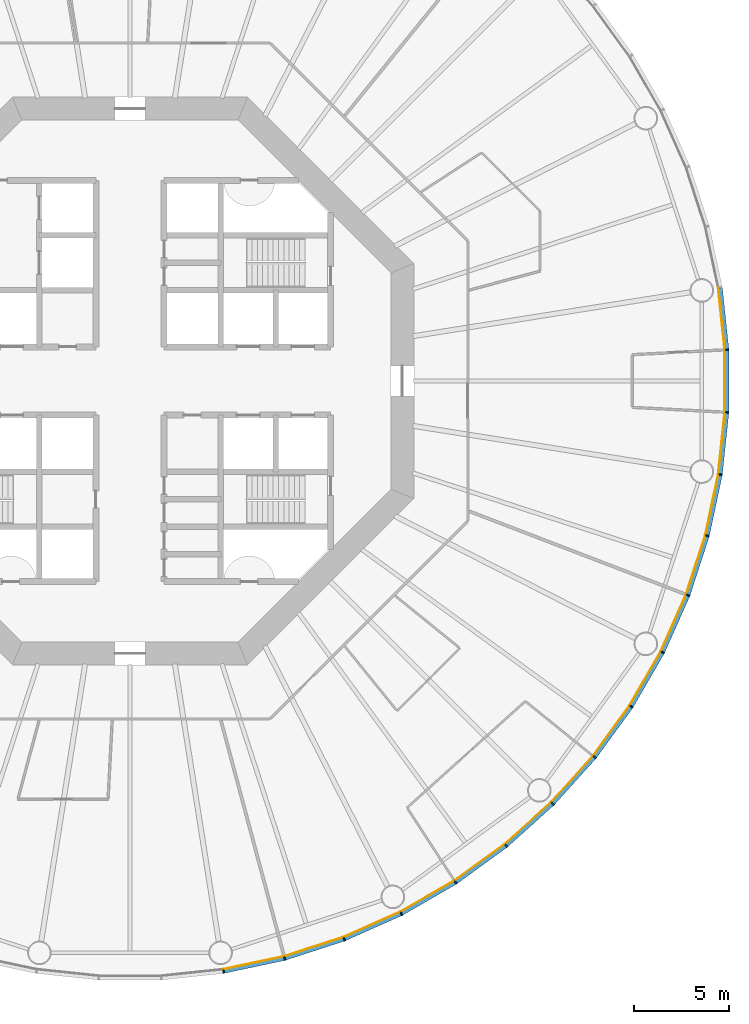
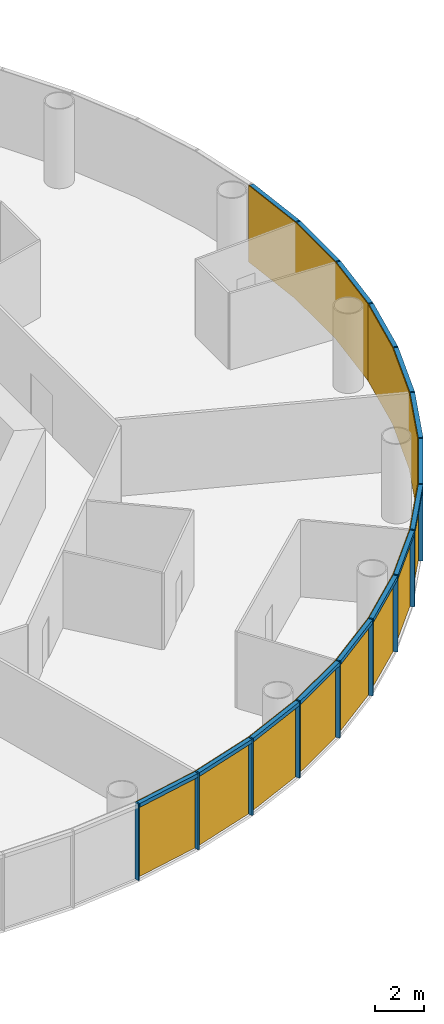
# One storey, part 9 of 13: 30 members, 5 curtain walls.
"""IFC4 building model written with IfcOpenShell, lengths in metres."""

from ifc_helpers import new_model, si_unit, direction, frame, origin, origin_2d, place, context, subcontext, project, spatial, polyline, rectangle, outline, extrude, material, layer, layer_set, material_profile, profile_set, type_object, element, aggregate, save


model = new_model("IFC4")

# Units and contexts
model_context = context("Model", 3, precision=1e-05, world=origin(), true_north=direction((0.0, 1.0)))
body_context = subcontext(model_context, "Body", "Model", "MODEL_VIEW")
ifc_project = project(units=[si_unit("LENGTHUNIT", "METRE"), si_unit("AREAUNIT", "SQUARE_METRE"), si_unit("VOLUMEUNIT", "CUBIC_METRE"), si_unit("PLANEANGLEUNIT", "RADIAN"), si_unit("MASSUNIT", "GRAM", prefix="KILO")], contexts=[model_context])

# Member
ifc_material_1 = material(Name="Anodised aluminium", Category="aluminium")
ifc_material_profile_1 = material_profile(ifc_material_1, rectangle(XDim=0.070068359375, YDim=0.199951171875, at=origin_2d()), Name="Mullion 70 x 200 mm anodised aluminium")
ifc_profile_set_1 = profile_set([ifc_material_profile_1], Name="Anodised aluminium")
member_type_1 = type_object("IfcMemberType", Name="Mullion 70 x 200 mm anodised aluminium", PredefinedType="MULLION", material=ifc_profile_set_1)
site_placement = place(None, origin())
building_placement = place(site_placement, origin())
storey_placement = place(building_placement, frame((0.0, 0.0, 120.0)))
member_1_placement = place(storey_placement, frame((94.943359375, 48.7890625, 0.0), z_axis=(0.0, 0.0, 1.0), x_axis=(0.987688340595, 0.15643446504, 0.0)))
member_1 = element("IfcMember", 1, at=member_1_placement, type_object=member_type_1, Name="MULLION L27-45", PredefinedType="MULLION", context=body_context, shape_type="SweptSolid", body=[
    extrude(rectangle(XDim=0.070068359375, YDim=0.199951171875, at=origin_2d()), origin(), (0.0, 0.0, 1.0), 3.85009765625),
])

member_2_placement = place(storey_placement, frame((98.1787109375, 49.476806640625, 0.0), z_axis=(0.0, 0.0, 1.0), x_axis=(0.965925826289, 0.258819045103, 0.0)))
member_2 = element("IfcMember", 2, at=member_2_placement, type_object=member_type_1, Name="MULLION L27-46", PredefinedType="MULLION", context=body_context, shape_type="SweptSolid", body=[
    extrude(rectangle(XDim=0.070068359375, YDim=0.199951171875, at=origin_2d()), origin(), (0.0, 0.0, 1.0), 3.85009765625),
])

member_3_placement = place(storey_placement, frame((101.324462890625, 50.498779296875, 0.0), z_axis=(0.0, 0.0, 1.0), x_axis=(0.933580426497, 0.358367949545, 0.0)))
member_3 = element("IfcMember", 3, at=member_3_placement, type_object=member_type_1, Name="MULLION L27-47", PredefinedType="MULLION", context=body_context, shape_type="SweptSolid", body=[
    extrude(rectangle(XDim=0.070068359375, YDim=0.199951171875, at=origin_2d()), origin(), (0.0, 0.0, 1.0), 3.85009765625),
])

member_4_placement = place(storey_placement, frame((104.34619140625, 51.84423828125, 0.0), z_axis=(0.0, 0.0, 1.0), x_axis=(0.891006524188, 0.45399049974, 0.0)))
member_4 = element("IfcMember", 4, at=member_4_placement, type_object=member_type_1, Name="MULLION L27-48", PredefinedType="MULLION", context=body_context, shape_type="SweptSolid", body=[
    extrude(rectangle(XDim=0.070068359375, YDim=0.199951171875, at=origin_2d()), origin(), (0.0, 0.0, 1.0), 3.85009765625),
])

member_5_placement = place(storey_placement, frame((107.210693359375, 53.498046875, 0.0), z_axis=(0.0, 0.0, 1.0), x_axis=(0.838670567945, 0.544639035015, 0.0)))
member_5 = element("IfcMember", 5, at=member_5_placement, type_object=member_type_1, Name="MULLION L27-49", PredefinedType="MULLION", context=body_context, shape_type="SweptSolid", body=[
    extrude(rectangle(XDim=0.070068359375, YDim=0.199951171875, at=origin_2d()), origin(), (0.0, 0.0, 1.0), 3.85009765625),
])

member_6_placement = place(storey_placement, frame((109.886474609375, 55.442138671875, 0.0), z_axis=(0.0, 0.0, 1.0), x_axis=(0.777145961457, 0.62932039105, 0.0)))
member_6 = element("IfcMember", 6, at=member_6_placement, type_object=member_type_1, Name="MULLION L27-50", PredefinedType="MULLION", context=body_context, shape_type="SweptSolid", body=[
    extrude(rectangle(XDim=0.070068359375, YDim=0.199951171875, at=origin_2d()), origin(), (0.0, 0.0, 1.0), 3.85009765625),
])

member_7_placement = place(storey_placement, frame((112.344482421875, 57.655517578125, 0.0), z_axis=(0.0, 0.0, 1.0), x_axis=(0.707106781187, 0.707106781187, 0.0)))
member_7 = element("IfcMember", 7, at=member_7_placement, type_object=member_type_1, Name="MULLION L27-51", PredefinedType="MULLION", context=body_context, shape_type="SweptSolid", body=[
    extrude(rectangle(XDim=0.070068359375, YDim=0.199951171875, at=origin_2d()), origin(), (0.0, 0.0, 1.0), 3.85009765625),
])

member_8_placement = place(storey_placement, frame((114.557861328125, 60.113525390625, 0.0), z_axis=(0.0, 0.0, 1.0), x_axis=(0.62932039105, 0.777145961457, 0.0)))
member_8 = element("IfcMember", 8, at=member_8_placement, type_object=member_type_1, Name="MULLION L27-52", PredefinedType="MULLION", context=body_context, shape_type="SweptSolid", body=[
    extrude(rectangle(XDim=0.070068359375, YDim=0.199951171875, at=origin_2d()), origin(), (0.0, 0.0, 1.0), 3.85009765625),
])

member_9_placement = place(storey_placement, frame((116.501953125, 62.789306640625, 0.0), z_axis=(0.0, 0.0, 1.0), x_axis=(0.544639035015, 0.838670567945, 0.0)))
member_9 = element("IfcMember", 9, at=member_9_placement, type_object=member_type_1, Name="MULLION L27-53", PredefinedType="MULLION", context=body_context, shape_type="SweptSolid", body=[
    extrude(rectangle(XDim=0.070068359375, YDim=0.199951171875, at=origin_2d()), origin(), (0.0, 0.0, 1.0), 3.85009765625),
])

member_10_placement = place(storey_placement, frame((118.15576171875, 65.65380859375, 0.0), z_axis=(0.0, 0.0, 1.0), x_axis=(0.45399049974, 0.891006524188, 0.0)))
member_10 = element("IfcMember", 10, at=member_10_placement, type_object=member_type_1, Name="MULLION L27-54", PredefinedType="MULLION", context=body_context, shape_type="SweptSolid", body=[
    extrude(rectangle(XDim=0.070068359375, YDim=0.199951171875, at=origin_2d()), origin(), (0.0, 0.0, 1.0), 3.85009765625),
])

member_11_placement = place(storey_placement, frame((119.501220703125, 68.675537109375, 0.0), z_axis=(0.0, 0.0, 1.0), x_axis=(0.358367949545, 0.933580426497, 0.0)))
member_11 = element("IfcMember", 11, at=member_11_placement, type_object=member_type_1, Name="MULLION L27-55", PredefinedType="MULLION", context=body_context, shape_type="SweptSolid", body=[
    extrude(rectangle(XDim=0.070068359375, YDim=0.199951171875, at=origin_2d()), origin(), (0.0, 0.0, 1.0), 3.85009765625),
])

member_12_placement = place(storey_placement, frame((120.523193359375, 71.8212890625, 0.0), z_axis=(0.0, 0.0, 1.0), x_axis=(0.258819045103, 0.965925826289, 0.0)))
member_12 = element("IfcMember", 12, at=member_12_placement, type_object=member_type_1, Name="MULLION L27-56", PredefinedType="MULLION", context=body_context, shape_type="SweptSolid", body=[
    extrude(rectangle(XDim=0.070068359375, YDim=0.199951171875, at=origin_2d()), origin(), (0.0, 0.0, 1.0), 3.85009765625),
])

member_13_placement = place(storey_placement, frame((121.2109375, 75.056640625, 0.0), z_axis=(0.0, 0.0, 1.0), x_axis=(0.15643446504, 0.987688340595, 0.0)))
member_13 = element("IfcMember", 13, at=member_13_placement, type_object=member_type_1, Name="MULLION L27-57", PredefinedType="MULLION", context=body_context, shape_type="SweptSolid", body=[
    extrude(rectangle(XDim=0.070068359375, YDim=0.199951171875, at=origin_2d()), origin(), (0.0, 0.0, 1.0), 3.85009765625),
])

member_14_placement = place(storey_placement, frame((121.556640625, 78.34619140625, 0.0), z_axis=(0.0, 0.0, 1.0), x_axis=(0.052335956243, 0.998629534755, 0.0)))
member_14 = element("IfcMember", 14, at=member_14_placement, type_object=member_type_1, Name="MULLION L27-58", PredefinedType="MULLION", context=body_context, shape_type="SweptSolid", body=[
    extrude(rectangle(XDim=0.070068359375, YDim=0.199951171875, at=origin_2d()), origin(), (0.0, 0.0, 1.0), 3.85009765625),
])

member_15_placement = place(storey_placement, frame((121.556640625, 81.65380859375, 0.0), z_axis=(0.0, 0.0, 1.0), x_axis=(-0.052335956243, 0.998629534755, 0.0)))
member_15 = element("IfcMember", 15, at=member_15_placement, type_object=member_type_1, Name="MULLION L27-59", PredefinedType="MULLION", context=body_context, shape_type="SweptSolid", body=[
    extrude(rectangle(XDim=0.070068359375, YDim=0.199951171875, at=origin_2d()), origin(), (0.0, 0.0, 1.0), 3.85009765625),
])

ifc_material_2 = material(Name="Anodised aluminium", Category="aluminium")
ifc_material_profile_2 = material_profile(ifc_material_2, rectangle(XDim=0.199951171875, YDim=0.18994140625, at=origin_2d()), Name="Transom 190 x 200 mm anodised aluminium")
ifc_profile_set_2 = profile_set([ifc_material_profile_2], Name="Anodised aluminium")
member_type_2 = type_object("IfcMemberType", Name="Transom 190 x 200 mm anodised aluminium", PredefinedType="USERDEFINED", material=ifc_profile_set_2)
member_16_placement = place(storey_placement, frame((94.982666015625, 48.79736328125, 3.7548828125), z_axis=(0.978153082647, 0.207885898771, 0.0), x_axis=(-0.207885898771, 0.978153082647, 0.0)))
member_16 = element("IfcMember", 16, at=member_16_placement, type_object=member_type_2, Name="TRANSOM L27-45", ObjectType="TRANSOM", PredefinedType="USERDEFINED", context=body_context, shape_type="SweptSolid", body=[
    extrude(rectangle(XDim=0.199951171875, YDim=0.18994140625, at=origin_2d()), origin(), (0.0, 0.0, 1.0), 3.227294921875),
])

member_17_placement = place(storey_placement, frame((98.217041015625, 49.489013671875, 3.7548828125), z_axis=(0.951046855117, 0.309046726844, 0.0), x_axis=(-0.309046726844, 0.951046855117, 0.0)))
member_17 = element("IfcMember", 17, at=member_17_placement, type_object=member_type_2, Name="TRANSOM L27-46", ObjectType="TRANSOM", PredefinedType="USERDEFINED", context=body_context, shape_type="SweptSolid", body=[
    extrude(rectangle(XDim=0.199951171875, YDim=0.18994140625, at=origin_2d()), origin(), (0.0, 0.0, 1.0), 3.22705078125),
])

member_18_placement = place(storey_placement, frame((101.361328125, 50.51513671875, 3.7548828125), z_axis=(0.913549291349, 0.406728032322, 0.0), x_axis=(-0.406728032322, 0.913549291349, 0.0)))
member_18 = element("IfcMember", 18, at=member_18_placement, type_object=member_type_2, Name="TRANSOM L27-47", ObjectType="TRANSOM", PredefinedType="USERDEFINED", context=body_context, shape_type="SweptSolid", body=[
    extrude(rectangle(XDim=0.199951171875, YDim=0.18994140625, at=origin_2d()), origin(), (0.0, 0.0, 1.0), 3.22705078125),
])

member_19_placement = place(storey_placement, frame((104.381103515625, 51.8642578125, 3.7548828125), z_axis=(0.866023062494, 0.500004055213, 0.0), x_axis=(-0.500004055213, 0.866023062494, 0.0)))
member_19 = element("IfcMember", 19, at=member_19_placement, type_object=member_type_2, Name="TRANSOM L27-48", ObjectType="TRANSOM", PredefinedType="USERDEFINED", context=body_context, shape_type="SweptSolid", body=[
    extrude(rectangle(XDim=0.199951171875, YDim=0.18994140625, at=origin_2d()), origin(), (0.0, 0.0, 1.0), 3.22705078125),
])

member_20_placement = place(storey_placement, frame((107.2431640625, 53.521484375, 3.7548828125), z_axis=(0.809004252048, 0.587802790201, 0.0), x_axis=(-0.587802790201, 0.809004252048, 0.0)))
member_20 = element("IfcMember", 20, at=member_20_placement, type_object=member_type_2, Name="TRANSOM L27-49", ObjectType="TRANSOM", PredefinedType="USERDEFINED", context=body_context, shape_type="SweptSolid", body=[
    extrude(rectangle(XDim=0.199951171875, YDim=0.18994140625, at=origin_2d()), origin(), (0.0, 0.0, 1.0), 3.227294921875),
])

member_21_placement = place(storey_placement, frame((109.91650390625, 55.468994140625, 3.7548828125), z_axis=(0.743132370743, 0.669144438484, 0.0), x_axis=(-0.669144438484, 0.743132370743, 0.0)))
member_21 = element("IfcMember", 21, at=member_21_placement, type_object=member_type_2, Name="TRANSOM L27-50", ObjectType="TRANSOM", PredefinedType="USERDEFINED", context=body_context, shape_type="SweptSolid", body=[
    extrude(rectangle(XDim=0.199951171875, YDim=0.18994140625, at=origin_2d()), origin(), (0.0, 0.0, 1.0), 3.22705078125),
])

member_22_placement = place(storey_placement, frame((112.37158203125, 57.685302734375, 3.7548828125), z_axis=(0.669144438484, 0.743132370743, 0.0), x_axis=(-0.743132370743, 0.669144438484, 0.0)))
member_22 = element("IfcMember", 22, at=member_22_placement, type_object=member_type_2, Name="TRANSOM L27-51", ObjectType="TRANSOM", PredefinedType="USERDEFINED", context=body_context, shape_type="SweptSolid", body=[
    extrude(rectangle(XDim=0.199951171875, YDim=0.18994140625, at=origin_2d()), origin(), (0.0, 0.0, 1.0), 3.22705078125),
])

member_23_placement = place(storey_placement, frame((114.58154296875, 60.14599609375, 3.7548828125), z_axis=(0.587802790201, 0.809004252048, 0.0), x_axis=(-0.809004252048, 0.587802790201, 0.0)))
member_23 = element("IfcMember", 23, at=member_23_placement, type_object=member_type_2, Name="TRANSOM L27-52", ObjectType="TRANSOM", PredefinedType="USERDEFINED", context=body_context, shape_type="SweptSolid", body=[
    extrude(rectangle(XDim=0.199951171875, YDim=0.18994140625, at=origin_2d()), origin(), (0.0, 0.0, 1.0), 3.227294921875),
])

member_24_placement = place(storey_placement, frame((116.522216796875, 62.82421875, 3.7548828125), z_axis=(0.500004055213, 0.866023062494, 0.0), x_axis=(-0.866023062494, 0.500004055213, 0.0)))
member_24 = element("IfcMember", 24, at=member_24_placement, type_object=member_type_2, Name="TRANSOM L27-53", ObjectType="TRANSOM", PredefinedType="USERDEFINED", context=body_context, shape_type="SweptSolid", body=[
    extrude(rectangle(XDim=0.199951171875, YDim=0.18994140625, at=origin_2d()), origin(), (0.0, 0.0, 1.0), 3.22705078125),
])

member_25_placement = place(storey_placement, frame((118.17236328125, 65.690673828125, 3.7548828125), z_axis=(0.406728032322, 0.913549291349, 0.0), x_axis=(-0.913549291349, 0.406728032322, 0.0)))
member_25 = element("IfcMember", 25, at=member_25_placement, type_object=member_type_2, Name="TRANSOM L27-54", ObjectType="TRANSOM", PredefinedType="USERDEFINED", context=body_context, shape_type="SweptSolid", body=[
    extrude(rectangle(XDim=0.199951171875, YDim=0.18994140625, at=origin_2d()), origin(), (0.0, 0.0, 1.0), 3.22705078125),
])

member_26_placement = place(storey_placement, frame((119.513671875, 68.7138671875, 3.7548828125), z_axis=(0.309046726844, 0.951046855117, 0.0), x_axis=(-0.951046855117, 0.309046726844, 0.0)))
member_26 = element("IfcMember", 26, at=member_26_placement, type_object=member_type_2, Name="TRANSOM L27-55", ObjectType="TRANSOM", PredefinedType="USERDEFINED", context=body_context, shape_type="SweptSolid", body=[
    extrude(rectangle(XDim=0.199951171875, YDim=0.18994140625, at=origin_2d()), origin(), (0.0, 0.0, 1.0), 3.22705078125),
])

member_27_placement = place(storey_placement, frame((120.53173828125, 71.860595703125, 3.7548828125), z_axis=(0.207885898771, 0.978153082647, 0.0), x_axis=(-0.978153082647, 0.207885898771, 0.0)))
member_27 = element("IfcMember", 27, at=member_27_placement, type_object=member_type_2, Name="TRANSOM L27-56", ObjectType="TRANSOM", PredefinedType="USERDEFINED", context=body_context, shape_type="SweptSolid", body=[
    extrude(rectangle(XDim=0.199951171875, YDim=0.18994140625, at=origin_2d()), origin(), (0.0, 0.0, 1.0), 3.227294921875),
])

member_28_placement = place(storey_placement, frame((121.21533203125, 75.0966796875, 3.7548828125), z_axis=(0.104550890115, 0.994519537956, 0.0), x_axis=(-0.994519537956, 0.104550890115, 0.0)))
member_28 = element("IfcMember", 28, at=member_28_placement, type_object=member_type_2, Name="TRANSOM L27-57", ObjectType="TRANSOM", PredefinedType="USERDEFINED", context=body_context, shape_type="SweptSolid", body=[
    extrude(rectangle(XDim=0.199951171875, YDim=0.18994140625, at=origin_2d()), origin(), (0.0, 0.0, 1.0), 3.22705078125),
])

member_29_placement = place(storey_placement, frame((121.556884765625, 78.386474609375, 3.7548828125), z_axis=(0.0, 1.0, 0.0), x_axis=(-1.0, 0.0, 0.0)))
member_29 = element("IfcMember", 29, at=member_29_placement, type_object=member_type_2, Name="TRANSOM L27-58", ObjectType="TRANSOM", PredefinedType="USERDEFINED", context=body_context, shape_type="SweptSolid", body=[
    extrude(rectangle(XDim=0.199951171875, YDim=0.18994140625, at=origin_2d()), origin(), (0.0, 0.0, 1.0), 3.22705078125),
])

member_30_placement = place(storey_placement, frame((121.552734375, 81.69384765625, 3.7548828125), z_axis=(-0.104550890115, 0.994519537956, 0.0), x_axis=(-0.994519537956, -0.104550890115, 0.0)))
member_30 = element("IfcMember", 30, at=member_30_placement, type_object=member_type_2, Name="TRANSOM L27-59", ObjectType="TRANSOM", PredefinedType="USERDEFINED", context=body_context, shape_type="SweptSolid", body=[
    extrude(rectangle(XDim=0.199951171875, YDim=0.18994140625, at=origin_2d()), origin(), (0.0, 0.0, 1.0), 3.22705078125),
])

# Site, building, storey
site = spatial("IfcSite", under=ifc_project, at=site_placement, CompositionType="ELEMENT")
building = spatial("IfcBuilding", under=site, at=building_placement, Name="Entoto Ring Tower", CompositionType="ELEMENT")
storey = spatial("IfcBuildingStorey", under=building, at=storey_placement, Name="L27", CompositionType="ELEMENT", Elevation=120.0)

# Curtain wall
ifc_material_3 = material(Name="Clear low-iron glass", Category="glass")
ifc_layer = layer(ifc_material_3, 0.035888671875)
ifc_layer_set = layer_set([ifc_layer], Name="Clear low-iron glass")
curtain_wall_type = type_object("IfcCurtainWallType", Name="Curtain wall system CW2 glazing 36 mm", PredefinedType="NOTDEFINED", material=ifc_layer_set)
curtain_wall_1_placement = place(storey_placement, origin())
curtain_wall_1 = element("IfcCurtainWall", 31, at=curtain_wall_1_placement, inside=storey, type_object=curtain_wall_type, Name="CW2 L27-16", PredefinedType="NOTDEFINED", context=body_context, shape_type="SweptSolid", body=[
    extrude(outline(polyline([(94.927734375, 48.8876953125), (98.15283203125, 49.5732421875), (101.28857421875, 50.59228515625), (104.30078125, 51.933349609375), (104.284423828125, 51.96533203125), (101.275634765625, 50.6259765625), (98.1435546875, 49.608154296875), (94.922119140625, 48.92333984375), (94.927734375, 48.8876953125)])), origin(), (0.0, 0.0, 1.0), 3.85009765625),
])

aggregate(curtain_wall_1, [member_1, member_2, member_3, member_16, member_17, member_18])

curtain_wall_2_placement = place(storey_placement, origin())
curtain_wall_2 = element("IfcCurtainWall", 32, at=curtain_wall_2_placement, inside=storey, type_object=curtain_wall_type, Name="CW2 L27-17", PredefinedType="NOTDEFINED", context=body_context, shape_type="SweptSolid", body=[
    extrude(outline(polyline([(104.30078125, 51.933349609375), (107.15625, 53.581787109375), (109.823486328125, 55.52001953125), (112.27392578125, 57.72607421875), (112.248291015625, 57.751708984375), (109.801025390625, 55.5478515625), (107.136474609375, 53.612060546875), (104.284423828125, 51.96533203125), (104.30078125, 51.933349609375)])), origin(), (0.0, 0.0, 1.0), 3.85009765625),
])

aggregate(curtain_wall_2, [member_4, member_5, member_6, member_19, member_20, member_21])

curtain_wall_3_placement = place(storey_placement, origin())
curtain_wall_3 = element("IfcCurtainWall", 33, at=curtain_wall_3_placement, inside=storey, type_object=curtain_wall_type, Name="CW2 L27-18", PredefinedType="NOTDEFINED", context=body_context, shape_type="SweptSolid", body=[
    extrude(outline(polyline([(112.27392578125, 57.72607421875), (114.47998046875, 60.176513671875), (116.418212890625, 62.84375), (118.066650390625, 65.69921875), (118.03466796875, 65.715576171875), (116.387939453125, 62.863525390625), (114.4521484375, 60.198974609375), (112.248291015625, 57.751708984375), (112.27392578125, 57.72607421875)])), origin(), (0.0, 0.0, 1.0), 3.85009765625),
])

aggregate(curtain_wall_3, [member_7, member_8, member_9, member_22, member_23, member_24])

curtain_wall_4_placement = place(storey_placement, origin())
curtain_wall_4 = element("IfcCurtainWall", 34, at=curtain_wall_4_placement, inside=storey, type_object=curtain_wall_type, Name="CW2 L27-19", PredefinedType="NOTDEFINED", context=body_context, shape_type="SweptSolid", body=[
    extrude(outline(polyline([(118.066650390625, 65.69921875), (119.40771484375, 68.71142578125), (120.4267578125, 71.84716796875), (121.1123046875, 75.072265625), (121.07666015625, 75.077880859375), (120.391845703125, 71.8564453125), (119.3740234375, 68.724365234375), (118.03466796875, 65.715576171875), (118.066650390625, 65.69921875)])), origin(), (0.0, 0.0, 1.0), 3.85009765625),
])

aggregate(curtain_wall_4, [member_10, member_11, member_12, member_25, member_26, member_27])

curtain_wall_5_placement = place(storey_placement, origin())
curtain_wall_5 = element("IfcCurtainWall", 35, at=curtain_wall_5_placement, inside=storey, type_object=curtain_wall_type, Name="CW2 L27-20", PredefinedType="NOTDEFINED", context=body_context, shape_type="SweptSolid", body=[
    extrude(outline(polyline([(121.1123046875, 75.072265625), (121.456787109375, 78.351318359375), (121.456787109375, 81.648681640625), (121.1123046875, 84.927734375), (121.07666015625, 84.922119140625), (121.4208984375, 81.646728515625), (121.4208984375, 78.353271484375), (121.07666015625, 75.077880859375), (121.1123046875, 75.072265625)])), origin(), (0.0, 0.0, 1.0), 3.85009765625),
])

aggregate(curtain_wall_5, [member_13, member_14, member_15, member_28, member_29, member_30])

save(model, "model.ifc")
